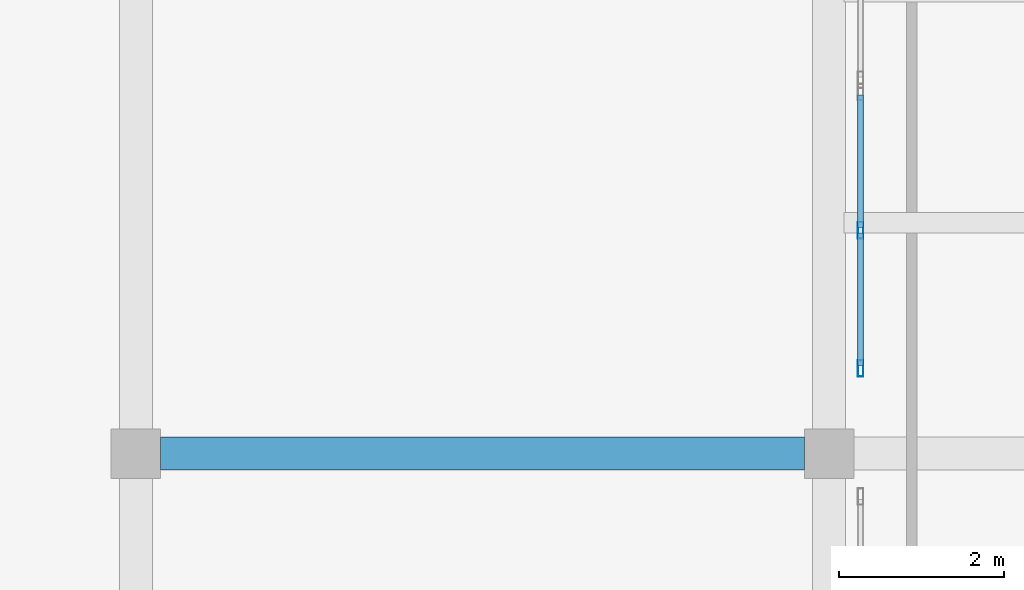
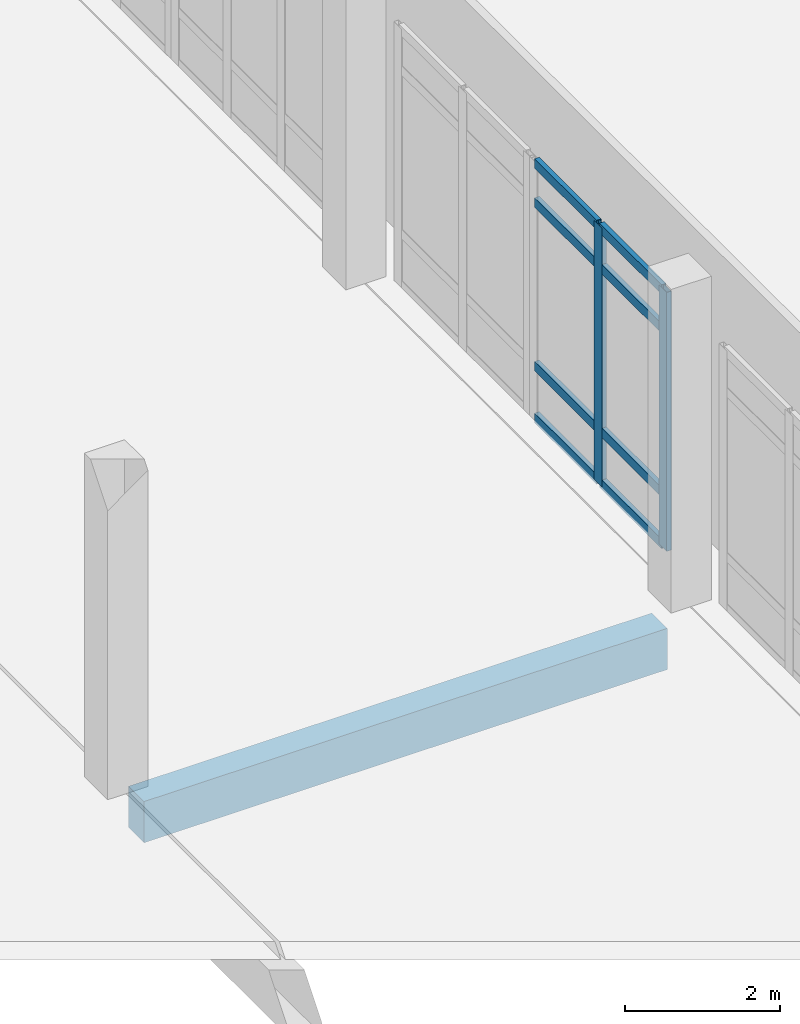
# One storey, part 24 of 64: 10 members, 1 beam, 1 element without a shape of its own.
"""IFC4 building model written with IfcOpenShell, lengths in metres."""

from ifc_helpers import new_model, si_unit, derived_unit, direction, frame, origin, origin_2d, place, context, subcontext, project, spatial, rectangle, hollow_rectangle, extrude, material, layer, layer_set, material_profile, profile_set, type_object, element, aggregate, save


model = new_model("IFC4")

# Units and contexts
model_context = context("Model", 3, precision=1e-05, world=origin(), true_north=direction((0.0, 1.0)))
body_context = subcontext(model_context, "Body", "Model", "MODEL_VIEW")
ifc_project = project(units=[si_unit("LENGTHUNIT", "METRE"), si_unit("AREAUNIT", "SQUARE_METRE"), si_unit("VOLUMEUNIT", "CUBIC_METRE"), si_unit("PLANEANGLEUNIT", "RADIAN"), si_unit("MASSUNIT", "GRAM", prefix="KILO"), derived_unit("THERMALTRANSMITTANCEUNIT", [(si_unit("POWERUNIT", "WATT"), 1), (si_unit("LENGTHUNIT", "METRE"), -2), (si_unit("THERMODYNAMICTEMPERATUREUNIT", "KELVIN"), -1)])], contexts=[model_context])

# Site, building, storey
site_placement = place(None, origin())
site = spatial("IfcSite", under=ifc_project, at=site_placement, CompositionType="ELEMENT")
building_placement = place(site_placement, origin())
building = spatial("IfcBuilding", under=site, at=building_placement, Name="Elbkamm Science Centre", CompositionType="ELEMENT")
storey_placement = place(building_placement, origin())
storey = spatial("IfcBuildingStorey", under=building, at=storey_placement, Name="L00", CompositionType="ELEMENT", Elevation=0.0)

# Beam
ifc_material_1 = material(Name="Concrete C40/50", Category="concrete")
ifc_material_profile_1 = material_profile(ifc_material_1, rectangle(XDim=0.39990234375, YDim=0.64990234375, at=origin_2d()), Name="RC 400x650")
ifc_profile_set_1 = profile_set([ifc_material_profile_1], Name="Concrete C40/50")
beam_type = type_object("IfcBeamType", Name="BM-RC-400x650", PredefinedType="BEAM", material=ifc_profile_set_1)
beam_placement = place(storey_placement, frame((126.300048828125, 92.39990234375, -0.625), z_axis=(1.0, 0.0, 0.0), x_axis=(0.0, 1.0, 0.0)))
element("IfcBeam", 1, at=beam_placement, inside=storey, type_object=beam_type, Name="L00 Primary X-Girder 085", PredefinedType="BEAM", context=body_context, shape_type="SweptSolid", body=[
    extrude(rectangle(XDim=0.39990234375, YDim=0.64990234375, at=origin_2d()), origin(), (0.0, 0.0, 1.0), 7.800048828125),
])

# Curtain wall, members
ifc_material_2 = material(Name="Powder-coated aluminium and triple low-E glazing", Category="aluminium")
ifc_layer = layer(ifc_material_2, 0.159912109375)
ifc_layer_set = layer_set([ifc_layer], Name="Powder-coated aluminium and triple low-E glazing")
curtain_wall_type = type_object("IfcCurtainWallType", Name="CW-UNIT-3420x4080", PredefinedType="USERDEFINED", material=ifc_layer_set)
curtain_wall_placement = place(storey_placement, origin())
curtain_wall = element("IfcCurtainWall", 2, at=curtain_wall_placement, inside=storey, type_object=curtain_wall_type, Name="L00 Unitised Curtain Wall 104", ObjectType="UNITISED CURTAIN WALL", PredefinedType="USERDEFINED")
ifc_material_3 = material(Name="Powder-coated aluminium EN AW-6060", Category="aluminium")
ifc_material_profile_2 = material_profile(ifc_material_3, hollow_rectangle(XDim=0.070068359375, YDim=0.199951171875, WallThickness=0.00439453125, at=origin_2d()), Name="ALU M70x200")
ifc_profile_set_2 = profile_set([ifc_material_profile_2], Name="Powder-coated aluminium EN AW-6060")
member_type_1 = type_object("IfcMemberType", Name="CW-MUL-70x200", PredefinedType="MULLION", material=ifc_profile_set_2)
member_1_placement = place(storey_placement, frame((134.780029296875, 93.431640625, 0.0), z_axis=(0.0, 0.0, 1.0), x_axis=(-1.0, 0.0, 0.0)))
member_1 = element("IfcMember", 3, at=member_1_placement, type_object=member_type_1, Name="CW-052 mullion 1", PredefinedType="MULLION", context=body_context, shape_type="SweptSolid", body=[
    extrude(hollow_rectangle(XDim=0.070068359375, YDim=0.199951171875, WallThickness=0.00439453125, at=origin_2d()), origin(), (0.0, 0.0, 1.0), 4.080078125),
])
member_2_placement = place(storey_placement, frame((134.780029296875, 95.10595703125, 0.0), z_axis=(0.0, 0.0, 1.0), x_axis=(-1.0, 0.0, 0.0)))
member_2 = element("IfcMember", 4, at=member_2_placement, type_object=member_type_1, Name="CW-052 mullion 2", PredefinedType="MULLION", context=body_context, shape_type="SweptSolid", body=[
    extrude(hollow_rectangle(XDim=0.070068359375, YDim=0.199951171875, WallThickness=0.00439453125, at=origin_2d()), origin(), (0.0, 0.0, 1.0), 4.080078125),
])
ifc_material_profile_3 = material_profile(ifc_material_3, hollow_rectangle(XDim=0.070068359375, YDim=0.14990234375, WallThickness=0.00390625, at=origin_2d()), Name="ALU T70x150")
ifc_profile_set_3 = profile_set([ifc_material_profile_3], Name="Powder-coated aluminium EN AW-6060")
member_type_2 = type_object("IfcMemberType", Name="CW-TRN-70x150", PredefinedType="USERDEFINED", material=ifc_profile_set_3)
member_3_placement = place(storey_placement, frame((134.780029296875, 93.466796875, 0.034912109375), z_axis=(0.0, 1.0, 0.0), x_axis=(-1.0, 0.0, 0.0)))
member_3 = element("IfcMember", 5, at=member_3_placement, type_object=member_type_2, Name="CW-052 transom 1.1", ObjectType="TRANSOM", PredefinedType="USERDEFINED", context=body_context, shape_type="SweptSolid", body=[
    extrude(hollow_rectangle(XDim=0.070068359375, YDim=0.14990234375, WallThickness=0.00390625, at=origin_2d()), origin(), (0.0, 0.0, 1.0), 1.604248046875),
])
member_4_placement = place(storey_placement, frame((134.780029296875, 93.466796875, 0.85009765625), z_axis=(0.0, 1.0, 0.0), x_axis=(-1.0, 0.0, 0.0)))
member_4 = element("IfcMember", 6, at=member_4_placement, type_object=member_type_2, Name="CW-052 transom 1.2", ObjectType="TRANSOM", PredefinedType="USERDEFINED", context=body_context, shape_type="SweptSolid", body=[
    extrude(hollow_rectangle(XDim=0.070068359375, YDim=0.14990234375, WallThickness=0.00390625, at=origin_2d()), origin(), (0.0, 0.0, 1.0), 1.604248046875),
])
member_5_placement = place(storey_placement, frame((134.780029296875, 93.466796875, 3.429931640625), z_axis=(0.0, 1.0, 0.0), x_axis=(-1.0, 0.0, 0.0)))
member_5 = element("IfcMember", 7, at=member_5_placement, type_object=member_type_2, Name="CW-052 transom 1.3", ObjectType="TRANSOM", PredefinedType="USERDEFINED", context=body_context, shape_type="SweptSolid", body=[
    extrude(hollow_rectangle(XDim=0.070068359375, YDim=0.14990234375, WallThickness=0.00390625, at=origin_2d()), origin(), (0.0, 0.0, 1.0), 1.604248046875),
])
member_6_placement = place(storey_placement, frame((134.780029296875, 93.466796875, 4.044921875), z_axis=(0.0, 1.0, 0.0), x_axis=(-1.0, 0.0, 0.0)))
member_6 = element("IfcMember", 8, at=member_6_placement, type_object=member_type_2, Name="CW-052 transom 1.4", ObjectType="TRANSOM", PredefinedType="USERDEFINED", context=body_context, shape_type="SweptSolid", body=[
    extrude(hollow_rectangle(XDim=0.070068359375, YDim=0.14990234375, WallThickness=0.00390625, at=origin_2d()), origin(), (0.0, 0.0, 1.0), 1.604248046875),
])
member_7_placement = place(storey_placement, frame((134.780029296875, 95.140869140625, 0.034912109375), z_axis=(0.0, 1.0, 0.0), x_axis=(-1.0, 0.0, 0.0)))
member_7 = element("IfcMember", 9, at=member_7_placement, type_object=member_type_2, Name="CW-052 transom 2.1", ObjectType="TRANSOM", PredefinedType="USERDEFINED", context=body_context, shape_type="SweptSolid", body=[
    extrude(hollow_rectangle(XDim=0.070068359375, YDim=0.14990234375, WallThickness=0.00390625, at=origin_2d()), origin(), (0.0, 0.0, 1.0), 1.604248046875),
])
member_8_placement = place(storey_placement, frame((134.780029296875, 95.140869140625, 0.85009765625), z_axis=(0.0, 1.0, 0.0), x_axis=(-1.0, 0.0, 0.0)))
member_8 = element("IfcMember", 10, at=member_8_placement, type_object=member_type_2, Name="CW-052 transom 2.2", ObjectType="TRANSOM", PredefinedType="USERDEFINED", context=body_context, shape_type="SweptSolid", body=[
    extrude(hollow_rectangle(XDim=0.070068359375, YDim=0.14990234375, WallThickness=0.00390625, at=origin_2d()), origin(), (0.0, 0.0, 1.0), 1.604248046875),
])
member_9_placement = place(storey_placement, frame((134.780029296875, 95.140869140625, 3.429931640625), z_axis=(0.0, 1.0, 0.0), x_axis=(-1.0, 0.0, 0.0)))
member_9 = element("IfcMember", 11, at=member_9_placement, type_object=member_type_2, Name="CW-052 transom 2.3", ObjectType="TRANSOM", PredefinedType="USERDEFINED", context=body_context, shape_type="SweptSolid", body=[
    extrude(hollow_rectangle(XDim=0.070068359375, YDim=0.14990234375, WallThickness=0.00390625, at=origin_2d()), origin(), (0.0, 0.0, 1.0), 1.604248046875),
])
member_10_placement = place(storey_placement, frame((134.780029296875, 95.140869140625, 4.044921875), z_axis=(0.0, 1.0, 0.0), x_axis=(-1.0, 0.0, 0.0)))
member_10 = element("IfcMember", 12, at=member_10_placement, type_object=member_type_2, Name="CW-052 transom 2.4", ObjectType="TRANSOM", PredefinedType="USERDEFINED", context=body_context, shape_type="SweptSolid", body=[
    extrude(hollow_rectangle(XDim=0.070068359375, YDim=0.14990234375, WallThickness=0.00390625, at=origin_2d()), origin(), (0.0, 0.0, 1.0), 1.604248046875),
])
aggregate(curtain_wall, [member_1, member_2, member_3, member_4, member_5, member_6, member_7, member_8, member_9, member_10])

save(model, "model.ifc")
